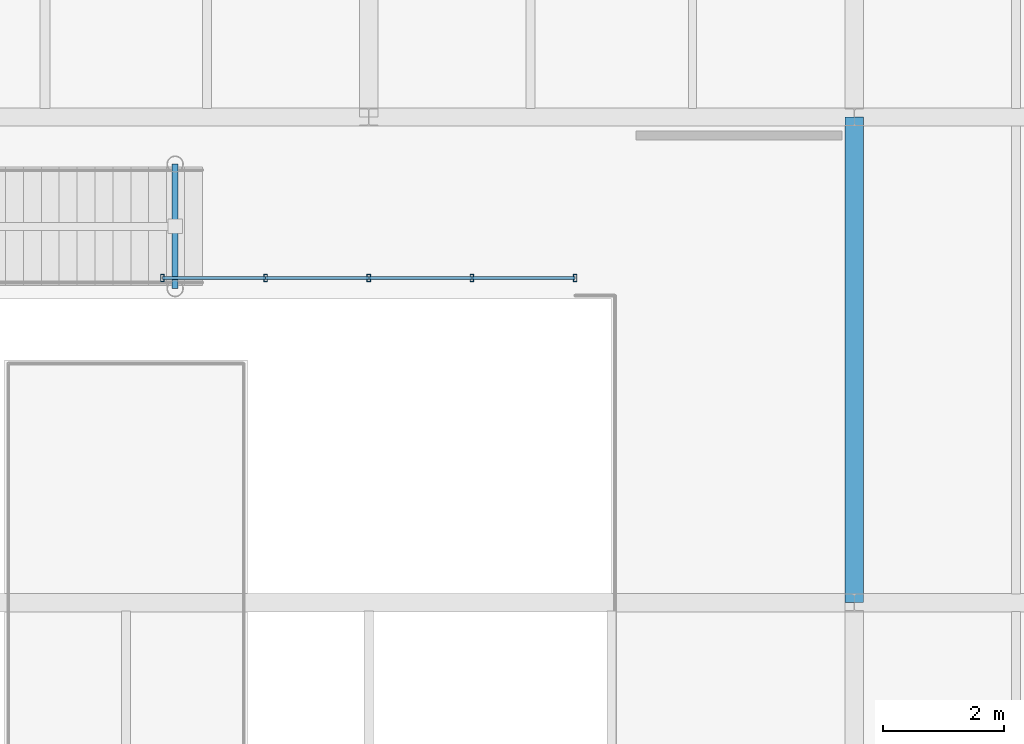
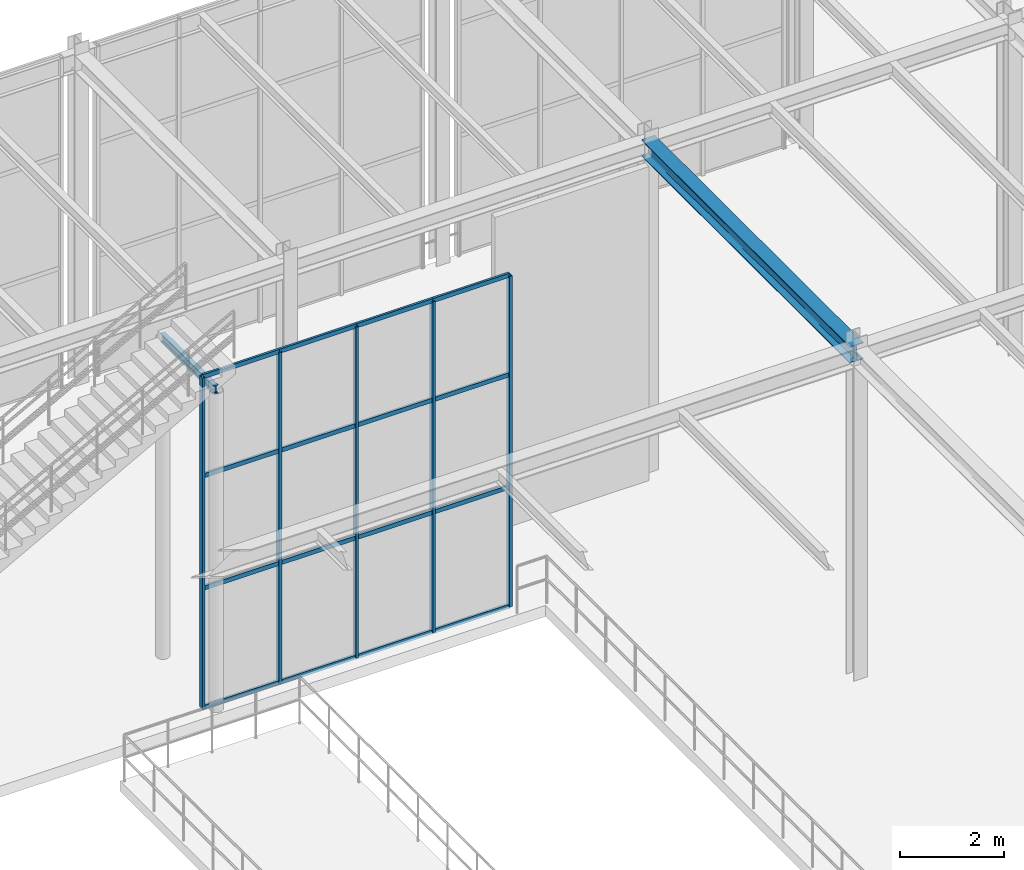
# One storey, part 46 of 138: 21 members, 2 beams, 1 element without a shape of its own.
"""IFC4 building model written with IfcOpenShell, lengths in metres."""

from ifc_helpers import new_model, si_unit, direction, frame, origin, origin_2d, place, context, subcontext, project, spatial, hollow_rectangle, i_section, extrude, material, material_profile, profile_set, type_object, element, aggregate, save


model = new_model("IFC4")

# Units and contexts
model_context = context("Model", 3, precision=1e-05, world=origin(), true_north=direction((0.0, 1.0)))
body_context = subcontext(model_context, "Body", "Model", "MODEL_VIEW")
ifc_project = project(units=[si_unit("LENGTHUNIT", "METRE"), si_unit("AREAUNIT", "SQUARE_METRE"), si_unit("VOLUMEUNIT", "CUBIC_METRE"), si_unit("PLANEANGLEUNIT", "RADIAN"), si_unit("MASSUNIT", "GRAM", prefix="KILO")], contexts=[model_context])

# Site, building, storey
site_placement = place(None, origin())
site = spatial("IfcSite", under=ifc_project, at=site_placement, CompositionType="ELEMENT")
building_placement = place(site_placement, origin())
building = spatial("IfcBuilding", under=site, at=building_placement, Name="Sundkrona Museum", CompositionType="ELEMENT")
storey_placement = place(building_placement, frame((0.0, 0.0, 9.60009765625)))
storey = spatial("IfcBuildingStorey", under=building, at=storey_placement, Name="L02", CompositionType="ELEMENT", Elevation=9.60009765625)

# Beams
ifc_material_1 = material(Name="Steel S355J2", Category="steel")
ifc_material_profile_1 = material_profile(ifc_material_1, i_section(OverallWidth=0.300048828125, OverallDepth=0.389892578125, WebThickness=0.010986328125, FlangeThickness=0.01904296875, FilletRadius=0.027099609375, at=origin_2d()), Name="HEA 400")
ifc_profile_set_1 = profile_set([ifc_material_profile_1], Name="Steel S355J2")
beam_type_1 = type_object("IfcBeamType", Name="B-HEA400", PredefinedType="BEAM", material=ifc_profile_set_1)
beam_1_placement = place(storey_placement, frame((112.0, 24.0, 7.544921875), z_axis=(0.0, 1.0, 0.0), x_axis=(-1.0, 0.0, 0.0)))
element("IfcBeam", 1, at=beam_1_placement, inside=storey, type_object=beam_type_1, Name="L02 Girder Y-1327", PredefinedType="BEAM", context=body_context, shape_type="SweptSolid", body=[
    extrude(i_section(OverallWidth=0.300048828125, OverallDepth=0.389892578125, WebThickness=0.010986328125, FlangeThickness=0.01904296875, FilletRadius=0.027099609375, at=origin_2d()), origin(), (0.0, 0.0, 1.0), 8.0),
])
ifc_material_profile_2 = material_profile(ifc_material_1, i_section(OverallWidth=0.10009765625, OverallDepth=0.199951171875, WebThickness=0.005615234375, FlangeThickness=0.008544921875, FilletRadius=0.011962890625, at=origin_2d()), Name="IPE 200")
ifc_profile_set_2 = profile_set([ifc_material_profile_2], Name="Steel S355J2")
beam_type_2 = type_object("IfcBeamType", Name="J-IPE200", PredefinedType="JOIST", material=ifc_profile_set_2)
beam_2_placement = place(storey_placement, frame((100.81005859375, 29.175048828125, 7.4599609375), z_axis=(0.0, 1.0, 0.0), x_axis=(-1.0, 0.0, 0.0)))
element("IfcBeam", 2, at=beam_2_placement, inside=storey, type_object=beam_type_2, Name="Feature Stair FS-3 S3 Trimmer Beam", PredefinedType="JOIST", context=body_context, shape_type="SweptSolid", body=[
    extrude(i_section(OverallWidth=0.10009765625, OverallDepth=0.199951171875, WebThickness=0.005615234375, FlangeThickness=0.008544921875, FilletRadius=0.011962890625, at=origin_2d()), origin(), (0.0, 0.0, 1.0), 2.050048828125),
])

# Curtain wall, members
ifc_material_2 = material(Name="Unitised Aluminium-Steel and Ceramic-Clad Curtain Walling", Category="steel")
curtain_wall_type = type_object("IfcCurtainWallType", Name="CW-IN-68x70", PredefinedType="NOTDEFINED", material=ifc_material_2)
curtain_wall_placement = place(storey_placement, origin())
curtain_wall = element("IfcCurtainWall", 3, at=curtain_wall_placement, inside=storey, type_object=curtain_wall_type, Name="L02 Curtain Wall CW-L02-059", PredefinedType="NOTDEFINED")
ifc_material_3 = material(Name="Aluminium EN AW-6060 T66", Category="aluminium")
ifc_material_profile_3 = material_profile(ifc_material_3, hollow_rectangle(XDim=0.06005859375, YDim=0.1201171875, WallThickness=0.0048828125, at=origin_2d()), Name="RHS 120x60x5.0")
ifc_profile_set_3 = profile_set([ifc_material_profile_3], Name="Aluminium EN AW-6060 T66")
member_type_1 = type_object("IfcMemberType", Name="ML-120", PredefinedType="MULLION", material=ifc_profile_set_3)
member_1_placement = place(storey_placement, frame((100.60009765625, 29.35009765625, -0.004150390625), z_axis=(0.0, 0.0, 1.0), x_axis=(1.0, 0.0, 0.0)))
member_1 = element("IfcMember", 4, at=member_1_placement, type_object=member_type_1, Name="CW-L02-059 Mullion 01", PredefinedType="MULLION", context=body_context, shape_type="SweptSolid", body=[
    extrude(hollow_rectangle(XDim=0.06005859375, YDim=0.1201171875, WallThickness=0.0048828125, at=origin_2d()), origin(), (0.0, 0.0, 1.0), 7.748046875),
])
member_2_placement = place(storey_placement, frame((102.300048828125, 29.35009765625, -0.004150390625), z_axis=(0.0, 0.0, 1.0), x_axis=(1.0, 0.0, 0.0)))
member_2 = element("IfcMember", 5, at=member_2_placement, type_object=member_type_1, Name="CW-L02-059 Mullion 02", PredefinedType="MULLION", context=body_context, shape_type="SweptSolid", body=[
    extrude(hollow_rectangle(XDim=0.06005859375, YDim=0.1201171875, WallThickness=0.0048828125, at=origin_2d()), origin(), (0.0, 0.0, 1.0), 7.748046875),
])
member_3_placement = place(storey_placement, frame((104.0, 29.35009765625, -0.004150390625), z_axis=(0.0, 0.0, 1.0), x_axis=(1.0, 0.0, 0.0)))
member_3 = element("IfcMember", 6, at=member_3_placement, type_object=member_type_1, Name="CW-L02-059 Mullion 03", PredefinedType="MULLION", context=body_context, shape_type="SweptSolid", body=[
    extrude(hollow_rectangle(XDim=0.06005859375, YDim=0.1201171875, WallThickness=0.0048828125, at=origin_2d()), origin(), (0.0, 0.0, 1.0), 7.748046875),
])
member_4_placement = place(storey_placement, frame((105.699951171875, 29.35009765625, -0.004150390625), z_axis=(0.0, 0.0, 1.0), x_axis=(1.0, 0.0, 0.0)))
member_4 = element("IfcMember", 7, at=member_4_placement, type_object=member_type_1, Name="CW-L02-059 Mullion 04", PredefinedType="MULLION", context=body_context, shape_type="SweptSolid", body=[
    extrude(hollow_rectangle(XDim=0.06005859375, YDim=0.1201171875, WallThickness=0.0048828125, at=origin_2d()), origin(), (0.0, 0.0, 1.0), 7.748046875),
])
member_5_placement = place(storey_placement, frame((107.39990234375, 29.35009765625, -0.004150390625), z_axis=(0.0, 0.0, 1.0), x_axis=(1.0, 0.0, 0.0)))
member_5 = element("IfcMember", 8, at=member_5_placement, type_object=member_type_1, Name="CW-L02-059 Mullion 05", PredefinedType="MULLION", context=body_context, shape_type="SweptSolid", body=[
    extrude(hollow_rectangle(XDim=0.06005859375, YDim=0.1201171875, WallThickness=0.0048828125, at=origin_2d()), origin(), (0.0, 0.0, 1.0), 7.748046875),
])
ifc_material_profile_4 = material_profile(ifc_material_3, hollow_rectangle(XDim=0.050048828125, YDim=0.10009765625, WallThickness=0.0048828125, at=origin_2d()), Name="RHS 100x50x5.0")
ifc_profile_set_4 = profile_set([ifc_material_profile_4], Name="Aluminium EN AW-6060 T66")
member_type_2 = type_object("IfcMemberType", Name="TR-100", PredefinedType="USERDEFINED", material=ifc_profile_set_4)
member_6_placement = place(storey_placement, frame((100.60009765625, 29.35009765625, -0.004150390625), z_axis=(1.0, 0.0, 0.0), x_axis=(0.0, 1.0, 0.0)))
member_6 = element("IfcMember", 9, at=member_6_placement, type_object=member_type_2, Name="CW-L02-059 Transom 01", ObjectType="TRANSOM", PredefinedType="USERDEFINED", context=body_context, shape_type="SweptSolid", body=[
    extrude(hollow_rectangle(XDim=0.050048828125, YDim=0.10009765625, WallThickness=0.0048828125, at=origin_2d()), origin(), (0.0, 0.0, 1.0), 1.699951171875),
])
member_7_placement = place(storey_placement, frame((100.60009765625, 29.35009765625, 2.785888671875), z_axis=(1.0, 0.0, 0.0), x_axis=(0.0, 1.0, 0.0)))
member_7 = element("IfcMember", 10, at=member_7_placement, type_object=member_type_2, Name="CW-L02-059 Transom 02", ObjectType="TRANSOM", PredefinedType="USERDEFINED", context=body_context, shape_type="SweptSolid", body=[
    extrude(hollow_rectangle(XDim=0.050048828125, YDim=0.10009765625, WallThickness=0.0048828125, at=origin_2d()), origin(), (0.0, 0.0, 1.0), 1.699951171875),
])
member_8_placement = place(storey_placement, frame((100.60009765625, 29.35009765625, 5.41796875), z_axis=(1.0, 0.0, 0.0), x_axis=(0.0, 1.0, 0.0)))
member_8 = element("IfcMember", 11, at=member_8_placement, type_object=member_type_2, Name="CW-L02-059 Transom 03", ObjectType="TRANSOM", PredefinedType="USERDEFINED", context=body_context, shape_type="SweptSolid", body=[
    extrude(hollow_rectangle(XDim=0.050048828125, YDim=0.10009765625, WallThickness=0.0048828125, at=origin_2d()), origin(), (0.0, 0.0, 1.0), 1.699951171875),
])
member_9_placement = place(storey_placement, frame((100.60009765625, 29.35009765625, 7.743896484375), z_axis=(1.0, 0.0, 0.0), x_axis=(0.0, 1.0, 0.0)))
member_9 = element("IfcMember", 12, at=member_9_placement, type_object=member_type_2, Name="CW-L02-059 Transom 04", ObjectType="TRANSOM", PredefinedType="USERDEFINED", context=body_context, shape_type="SweptSolid", body=[
    extrude(hollow_rectangle(XDim=0.050048828125, YDim=0.10009765625, WallThickness=0.0048828125, at=origin_2d()), origin(), (0.0, 0.0, 1.0), 1.699951171875),
])
member_10_placement = place(storey_placement, frame((102.300048828125, 29.35009765625, -0.004150390625), z_axis=(1.0, 0.0, 0.0), x_axis=(0.0, 1.0, 0.0)))
member_10 = element("IfcMember", 13, at=member_10_placement, type_object=member_type_2, Name="CW-L02-059 Transom 05", ObjectType="TRANSOM", PredefinedType="USERDEFINED", context=body_context, shape_type="SweptSolid", body=[
    extrude(hollow_rectangle(XDim=0.050048828125, YDim=0.10009765625, WallThickness=0.0048828125, at=origin_2d()), origin(), (0.0, 0.0, 1.0), 1.699951171875),
])
member_11_placement = place(storey_placement, frame((102.300048828125, 29.35009765625, 2.785888671875), z_axis=(1.0, 0.0, 0.0), x_axis=(0.0, 1.0, 0.0)))
member_11 = element("IfcMember", 14, at=member_11_placement, type_object=member_type_2, Name="CW-L02-059 Transom 06", ObjectType="TRANSOM", PredefinedType="USERDEFINED", context=body_context, shape_type="SweptSolid", body=[
    extrude(hollow_rectangle(XDim=0.050048828125, YDim=0.10009765625, WallThickness=0.0048828125, at=origin_2d()), origin(), (0.0, 0.0, 1.0), 1.699951171875),
])
member_12_placement = place(storey_placement, frame((102.300048828125, 29.35009765625, 5.41796875), z_axis=(1.0, 0.0, 0.0), x_axis=(0.0, 1.0, 0.0)))
member_12 = element("IfcMember", 15, at=member_12_placement, type_object=member_type_2, Name="CW-L02-059 Transom 07", ObjectType="TRANSOM", PredefinedType="USERDEFINED", context=body_context, shape_type="SweptSolid", body=[
    extrude(hollow_rectangle(XDim=0.050048828125, YDim=0.10009765625, WallThickness=0.0048828125, at=origin_2d()), origin(), (0.0, 0.0, 1.0), 1.699951171875),
])
member_13_placement = place(storey_placement, frame((102.300048828125, 29.35009765625, 7.743896484375), z_axis=(1.0, 0.0, 0.0), x_axis=(0.0, 1.0, 0.0)))
member_13 = element("IfcMember", 16, at=member_13_placement, type_object=member_type_2, Name="CW-L02-059 Transom 08", ObjectType="TRANSOM", PredefinedType="USERDEFINED", context=body_context, shape_type="SweptSolid", body=[
    extrude(hollow_rectangle(XDim=0.050048828125, YDim=0.10009765625, WallThickness=0.0048828125, at=origin_2d()), origin(), (0.0, 0.0, 1.0), 1.699951171875),
])
member_14_placement = place(storey_placement, frame((104.0, 29.35009765625, -0.004150390625), z_axis=(1.0, 0.0, 0.0), x_axis=(0.0, 1.0, 0.0)))
member_14 = element("IfcMember", 17, at=member_14_placement, type_object=member_type_2, Name="CW-L02-059 Transom 09", ObjectType="TRANSOM", PredefinedType="USERDEFINED", context=body_context, shape_type="SweptSolid", body=[
    extrude(hollow_rectangle(XDim=0.050048828125, YDim=0.10009765625, WallThickness=0.0048828125, at=origin_2d()), origin(), (0.0, 0.0, 1.0), 1.699951171875),
])
member_15_placement = place(storey_placement, frame((104.0, 29.35009765625, 2.785888671875), z_axis=(1.0, 0.0, 0.0), x_axis=(0.0, 1.0, 0.0)))
member_15 = element("IfcMember", 18, at=member_15_placement, type_object=member_type_2, Name="CW-L02-059 Transom 10", ObjectType="TRANSOM", PredefinedType="USERDEFINED", context=body_context, shape_type="SweptSolid", body=[
    extrude(hollow_rectangle(XDim=0.050048828125, YDim=0.10009765625, WallThickness=0.0048828125, at=origin_2d()), origin(), (0.0, 0.0, 1.0), 1.699951171875),
])
member_16_placement = place(storey_placement, frame((104.0, 29.35009765625, 5.41796875), z_axis=(1.0, 0.0, 0.0), x_axis=(0.0, 1.0, 0.0)))
member_16 = element("IfcMember", 19, at=member_16_placement, type_object=member_type_2, Name="CW-L02-059 Transom 11", ObjectType="TRANSOM", PredefinedType="USERDEFINED", context=body_context, shape_type="SweptSolid", body=[
    extrude(hollow_rectangle(XDim=0.050048828125, YDim=0.10009765625, WallThickness=0.0048828125, at=origin_2d()), origin(), (0.0, 0.0, 1.0), 1.699951171875),
])
member_17_placement = place(storey_placement, frame((104.0, 29.35009765625, 7.743896484375), z_axis=(1.0, 0.0, 0.0), x_axis=(0.0, 1.0, 0.0)))
member_17 = element("IfcMember", 20, at=member_17_placement, type_object=member_type_2, Name="CW-L02-059 Transom 12", ObjectType="TRANSOM", PredefinedType="USERDEFINED", context=body_context, shape_type="SweptSolid", body=[
    extrude(hollow_rectangle(XDim=0.050048828125, YDim=0.10009765625, WallThickness=0.0048828125, at=origin_2d()), origin(), (0.0, 0.0, 1.0), 1.699951171875),
])
member_18_placement = place(storey_placement, frame((105.699951171875, 29.35009765625, -0.004150390625), z_axis=(1.0, 0.0, 0.0), x_axis=(0.0, 1.0, 0.0)))
member_18 = element("IfcMember", 21, at=member_18_placement, type_object=member_type_2, Name="CW-L02-059 Transom 13", ObjectType="TRANSOM", PredefinedType="USERDEFINED", context=body_context, shape_type="SweptSolid", body=[
    extrude(hollow_rectangle(XDim=0.050048828125, YDim=0.10009765625, WallThickness=0.0048828125, at=origin_2d()), origin(), (0.0, 0.0, 1.0), 1.699951171875),
])
member_19_placement = place(storey_placement, frame((105.699951171875, 29.35009765625, 2.785888671875), z_axis=(1.0, 0.0, 0.0), x_axis=(0.0, 1.0, 0.0)))
member_19 = element("IfcMember", 22, at=member_19_placement, type_object=member_type_2, Name="CW-L02-059 Transom 14", ObjectType="TRANSOM", PredefinedType="USERDEFINED", context=body_context, shape_type="SweptSolid", body=[
    extrude(hollow_rectangle(XDim=0.050048828125, YDim=0.10009765625, WallThickness=0.0048828125, at=origin_2d()), origin(), (0.0, 0.0, 1.0), 1.699951171875),
])
member_20_placement = place(storey_placement, frame((105.699951171875, 29.35009765625, 5.41796875), z_axis=(1.0, 0.0, 0.0), x_axis=(0.0, 1.0, 0.0)))
member_20 = element("IfcMember", 23, at=member_20_placement, type_object=member_type_2, Name="CW-L02-059 Transom 15", ObjectType="TRANSOM", PredefinedType="USERDEFINED", context=body_context, shape_type="SweptSolid", body=[
    extrude(hollow_rectangle(XDim=0.050048828125, YDim=0.10009765625, WallThickness=0.0048828125, at=origin_2d()), origin(), (0.0, 0.0, 1.0), 1.699951171875),
])
member_21_placement = place(storey_placement, frame((105.699951171875, 29.35009765625, 7.743896484375), z_axis=(1.0, 0.0, 0.0), x_axis=(0.0, 1.0, 0.0)))
member_21 = element("IfcMember", 24, at=member_21_placement, type_object=member_type_2, Name="CW-L02-059 Transom 16", ObjectType="TRANSOM", PredefinedType="USERDEFINED", context=body_context, shape_type="SweptSolid", body=[
    extrude(hollow_rectangle(XDim=0.050048828125, YDim=0.10009765625, WallThickness=0.0048828125, at=origin_2d()), origin(), (0.0, 0.0, 1.0), 1.699951171875),
])
aggregate(curtain_wall, [member_1, member_2, member_3, member_4, member_5, member_6, member_7, member_8, member_9, member_10, member_11, member_12, member_13, member_14, member_15, member_16, member_17, member_18, member_19, member_20, member_21])

save(model, "model.ifc")
